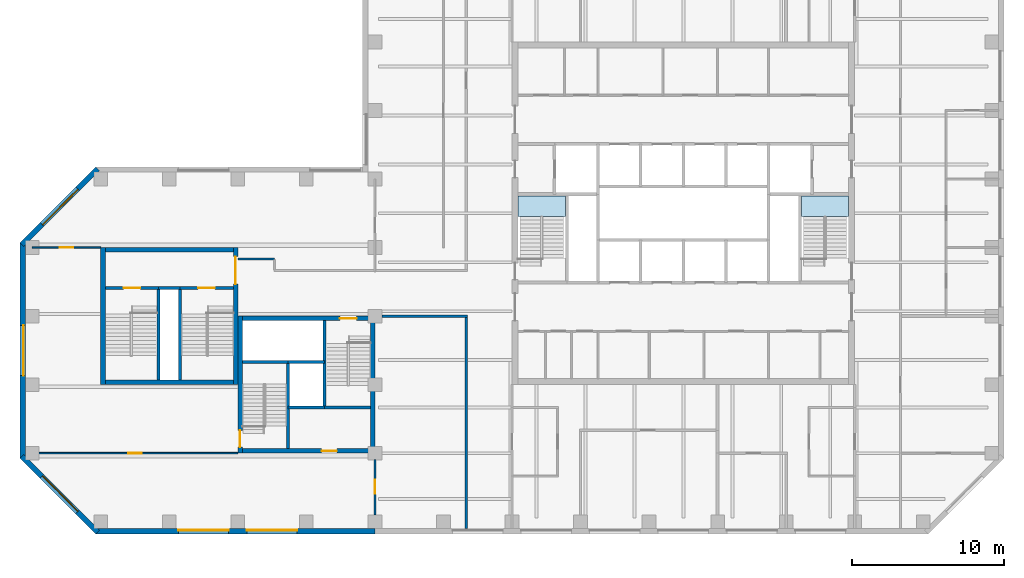
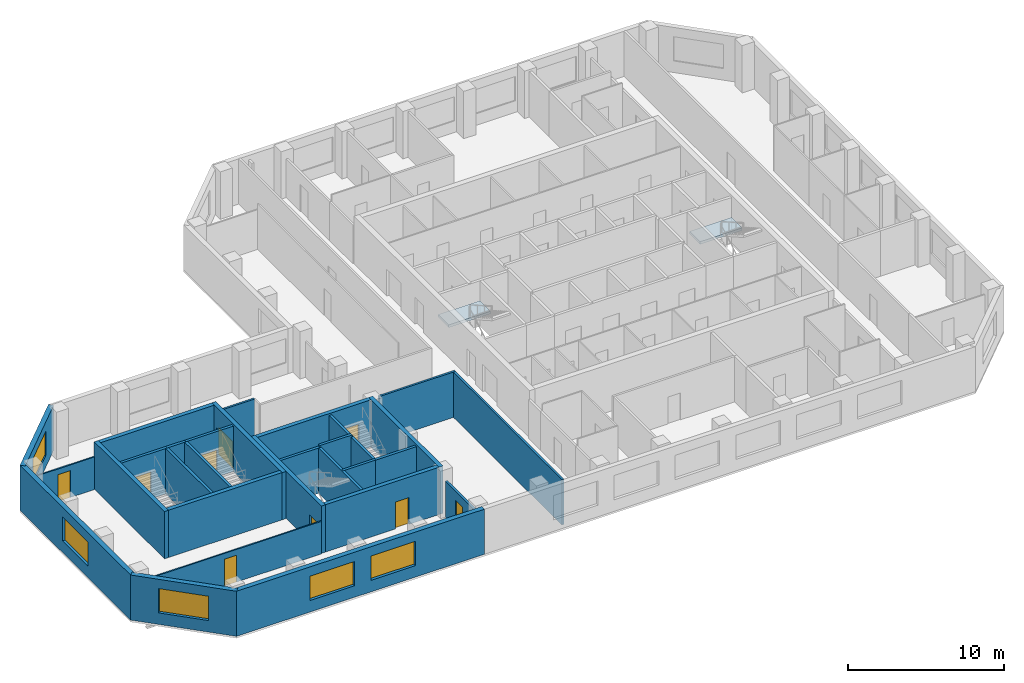
# One storey, part 2 of 8: 29 walls, 9 doors, 5 windows, 2 slabs, 14 openings, 2 elements without a shape of their own.
"""IFC4 building model written with IfcOpenShell, lengths in metres."""

from ifc_helpers import new_model, si_unit, direction, frame, frame_2d, origin, place, context, subcontext, project, spatial, polyline, rectangle, outline, extrude, material, layer, layer_set, constituent, constituent_set, type_object, element, fill, aggregate, save


model = new_model("IFC4")

# Units and contexts
model_context = context("Model", 3, precision=1e-05, world=origin(), true_north=direction((0.0, 1.0)))
body_context = subcontext(model_context, "Body", "Model", "MODEL_VIEW")
ifc_project = project(units=[si_unit("LENGTHUNIT", "METRE"), si_unit("AREAUNIT", "SQUARE_METRE"), si_unit("VOLUMEUNIT", "CUBIC_METRE"), si_unit("PLANEANGLEUNIT", "RADIAN"), si_unit("MASSUNIT", "GRAM", prefix="KILO")], contexts=[model_context])

# Site, building, storey
site_placement = place(None, origin())
site = spatial("IfcSite", under=ifc_project, at=site_placement, CompositionType="ELEMENT")
building_placement = place(site_placement, origin())
building = spatial("IfcBuilding", under=site, at=building_placement, Name="Quoin Convention Tower", CompositionType="ELEMENT")
storey_placement = place(building_placement, frame((0.0, 0.0, 211.89990234375)))
storey = spatial("IfcBuildingStorey", under=building, at=storey_placement, Name="L55", CompositionType="ELEMENT", Elevation=211.89990234375)

# Stair, slab
ifc_material_1 = material(Name="Concrete C40", Category="concrete")
stair_type = type_object("IfcStairType", Name="Exit stair two-flight 1350", PredefinedType="HALF_TURN_STAIR", material=ifc_material_1)
stair_1_placement = place(storey_placement, origin())
stair_1 = element("IfcStair", 1, at=stair_1_placement, inside=storey, type_object=stair_type, Name="SD1 L55", PredefinedType="HALF_TURN_STAIR")
ifc_layer_1 = layer(ifc_material_1, 0.199951171875)
ifc_layer_set_1 = layer_set([ifc_layer_1], Name="Concrete C40")
slab_type = type_object("IfcSlabType", Name="Stair landing 200", PredefinedType="LANDING", material=ifc_layer_set_1)
slab_1_placement = place(storey_placement, frame((0.0, 0.0, 1.79248046875)))
slab_1 = element("IfcSlab", 2, at=slab_1_placement, type_object=slab_type, Name="ST1 landing 1", PredefinedType="LANDING", context=body_context, shape_type="SweptSolid", body=[
    extrude(outline(polyline([(45.39990234375, 60.550048828125), (48.5, 60.550048828125), (48.5, 61.89990234375), (45.39990234375, 61.89990234375), (45.39990234375, 60.550048828125)])), origin(), (0.0, 0.0, 1.0), 0.199951171875),
])
aggregate(stair_1, [slab_1])

stair_2_placement = place(storey_placement, origin())
stair_2 = element("IfcStair", 3, at=stair_2_placement, inside=storey, type_object=stair_type, Name="SD2 L55", PredefinedType="HALF_TURN_STAIR")
slab_2_placement = place(storey_placement, frame((0.0, 0.0, 1.79248046875)))
slab_2 = element("IfcSlab", 4, at=slab_2_placement, type_object=slab_type, Name="ST2 landing 1", PredefinedType="LANDING", context=body_context, shape_type="SweptSolid", body=[
    extrude(outline(polyline([(64.0, 60.550048828125), (67.10009765625, 60.550048828125), (67.10009765625, 61.89990234375), (64.0, 61.89990234375), (64.0, 60.550048828125)])), origin(), (0.0, 0.0, 1.0), 0.199951171875),
])
aggregate(stair_2, [slab_2])

# Wall, opening, window
ifc_material_2 = material(Name="Brick masonry", Category="masonry")
ifc_layer_2 = layer(ifc_material_2, 0.35009765625)
ifc_layer_set_2 = layer_set([ifc_layer_2], Name="Brick masonry")
wall_type_1 = type_object("IfcWallType", Name="Brick facade wall", PredefinedType="STANDARD", material=ifc_layer_set_2)
wall_1_placement = place(storey_placement, frame((17.79248046875, 63.67626953125, 0.0), z_axis=(0.0, 0.0, 1.0), x_axis=(-0.707106781187, -0.707106781187, 0.0)))
wall_1 = element("IfcWall", 5, at=wall_1_placement, inside=storey, type_object=wall_type_1, Name="fw-L55-18000_63000", PredefinedType="STANDARD", context=body_context, shape_type="SweptSolid", body=[
    extrude(rectangle(XDim=7.02685546875, YDim=0.35009765625, at=frame_2d((3.513427734375, 0.0))), origin(), (0.0, 0.0, 1.0), 3.525146484375),
])
opening_1_placement = place(wall_1_placement, frame((1.86328125, 0.0, 0.89990234375)))
opening_1 = element("IfcOpeningElement", 6, at=opening_1_placement, cuts=wall_1, Name="Opening W-02", PredefinedType="OPENING", context=body_context, shape_type="SweptSolid", body=[
    extrude(rectangle(XDim=3.300048828125, YDim=1.89990234375, at=frame_2d((1.64990234375, 0.949951171875))), frame((0.0, 0.18505859375, 0.0), z_axis=(0.0, -1.0, 0.0), x_axis=(1.0, 0.0, 0.0)), (0.0, 0.0, 1.0), 0.3701171875),
])
ifc_material_3 = material(Name="Aluminium", Category="aluminium")
ifc_constituent_1 = constituent(ifc_material_3, Name="Frame")
ifc_material_4 = material(Name="Insulated glass", Category="glass")
ifc_constituent_2 = constituent(ifc_material_4, Name="Glazing")
ifc_constituent_set = constituent_set(constituents=[ifc_constituent_1, ifc_constituent_2], Name="Aluminium")
window_type = type_object("IfcWindowType", Name="Office window", PartitioningType="DOUBLE_PANEL_VERTICAL", PredefinedType="WINDOW", material=ifc_constituent_set)
window_1_placement = place(opening_1_placement, origin())
window_1 = element("IfcWindow", 7, at=window_1_placement, inside=storey, type_object=window_type, Name="win-L55-15308_61192", OverallHeight=1.89990234375, OverallWidth=3.300048828125, PartitioningType="SINGLE_PANEL", PredefinedType="WINDOW", context=body_context, shape_type="SweptSolid", body=[
    extrude(rectangle(XDim=3.300048828125, YDim=1.89990234375, at=frame_2d((1.64990234375, 0.949951171875))), frame((0.0, 0.0849609375, 0.0), z_axis=(0.0, -1.0, 0.0), x_axis=(1.0, 0.0, 0.0)), (0.0, 0.0, 1.0), 0.06005859375),
])
fill(opening_1, window_1)

wall_2_placement = place(storey_placement, frame((12.875, 58.831298828125, 0.0), z_axis=(0.0, 0.0, 1.0), x_axis=(0.0, -1.0, 0.0)))
wall_2 = element("IfcWall", 8, at=wall_2_placement, inside=storey, type_object=wall_type_1, Name="fw-L55-13500_58500", PredefinedType="STANDARD", context=body_context, shape_type="SweptSolid", body=[
    extrude(rectangle(XDim=14.16259765625, YDim=0.35009765625, at=frame_2d((7.081298828125, 0.0))), origin(), (0.0, 0.0, 1.0), 3.525146484375),
])
opening_2_placement = place(wall_2_placement, frame((5.431396484375, 0.0, 0.89990234375)))
opening_2 = element("IfcOpeningElement", 9, at=opening_2_placement, cuts=wall_2, Name="Opening W-02", PredefinedType="OPENING", context=body_context, shape_type="SweptSolid", body=[
    extrude(rectangle(XDim=3.300048828125, YDim=1.89990234375, at=frame_2d((1.64990234375, 0.949951171875))), frame((0.0, 0.18505859375, 0.0), z_axis=(0.0, -1.0, 0.0), x_axis=(1.0, 0.0, 0.0)), (0.0, 0.0, 1.0), 0.3701171875),
])
window_2_placement = place(opening_2_placement, origin())
window_2 = element("IfcWindow", 10, at=window_2_placement, inside=storey, type_object=window_type, Name="win-L55-12875_51750", OverallHeight=1.89990234375, OverallWidth=3.300048828125, PartitioningType="SINGLE_PANEL", PredefinedType="WINDOW", context=body_context, shape_type="SweptSolid", body=[
    extrude(rectangle(XDim=3.300048828125, YDim=1.89990234375, at=frame_2d((1.64990234375, 0.949951171875))), frame((0.0, 0.0849609375, 0.0), z_axis=(0.0, -1.0, 0.0), x_axis=(1.0, 0.0, 0.0)), (0.0, 0.0, 1.0), 0.06005859375),
])
fill(opening_2, window_2)

wall_3_placement = place(storey_placement, frame((12.82373046875, 44.79248046875, 0.0), z_axis=(0.0, 0.0, 1.0), x_axis=(0.707106781187, -0.707106781187, 0.0)))
wall_3 = element("IfcWall", 11, at=wall_3_placement, inside=storey, type_object=wall_type_1, Name="fw-L55-13500_45000", PredefinedType="STANDARD", context=body_context, shape_type="SweptSolid", body=[
    extrude(rectangle(XDim=7.02685546875, YDim=0.35009765625, at=frame_2d((3.513427734375, 0.0))), origin(), (0.0, 0.0, 1.0), 3.525146484375),
])
opening_3_placement = place(wall_3_placement, frame((1.86328125, 0.0, 0.89990234375)))
opening_3 = element("IfcOpeningElement", 12, at=opening_3_placement, cuts=wall_3, Name="Opening W-02", PredefinedType="OPENING", context=body_context, shape_type="SweptSolid", body=[
    extrude(rectangle(XDim=3.300048828125, YDim=1.89990234375, at=frame_2d((1.64990234375, 0.949951171875))), frame((0.0, 0.18505859375, 0.0), z_axis=(0.0, -1.0, 0.0), x_axis=(1.0, 0.0, 0.0)), (0.0, 0.0, 1.0), 0.3701171875),
])
window_3_placement = place(opening_3_placement, origin())
window_3 = element("IfcWindow", 13, at=window_3_placement, inside=storey, type_object=window_type, Name="win-L55-15308_42308", OverallHeight=1.89990234375, OverallWidth=3.300048828125, PartitioningType="SINGLE_PANEL", PredefinedType="WINDOW", context=body_context, shape_type="SweptSolid", body=[
    extrude(rectangle(XDim=3.300048828125, YDim=1.89990234375, at=frame_2d((1.64990234375, 0.949951171875))), frame((0.0, 0.0849609375, 0.0), z_axis=(0.0, -1.0, 0.0), x_axis=(1.0, 0.0, 0.0)), (0.0, 0.0, 1.0), 0.06005859375),
])
fill(opening_3, window_3)

# Wall, openings, windows
wall_4_placement = place(storey_placement, frame((17.668701171875, 39.875, 0.0), z_axis=(0.0, 0.0, 1.0), x_axis=(1.0, 0.0, 0.0)))
wall_4 = element("IfcWall", 14, at=wall_4_placement, inside=storey, type_object=wall_type_1, Name="fw-L55-18000_40500", PredefinedType="STANDARD", context=body_context, shape_type="SweptSolid", body=[
    extrude(rectangle(XDim=18.331298828125, YDim=0.35009765625, at=frame_2d((9.16552734375, 0.0))), origin(), (0.0, 0.0, 1.0), 3.525146484375),
])
opening_4_placement = place(wall_4_placement, frame((5.431396484375, 0.0, 0.89990234375)))
opening_4 = element("IfcOpeningElement", 15, at=opening_4_placement, cuts=wall_4, Name="Opening W-02", PredefinedType="OPENING", context=body_context, shape_type="SweptSolid", body=[
    extrude(rectangle(XDim=3.300048828125, YDim=1.89990234375, at=frame_2d((1.64990234375, 0.949951171875))), frame((0.0, 0.18505859375, 0.0), z_axis=(0.0, -1.0, 0.0), x_axis=(1.0, 0.0, 0.0)), (0.0, 0.0, 1.0), 0.3701171875),
])
opening_5_placement = place(wall_4_placement, frame((9.931396484375, 0.0, 0.89990234375)))
opening_5 = element("IfcOpeningElement", 16, at=opening_5_placement, cuts=wall_4, Name="Opening W-02", PredefinedType="OPENING", context=body_context, shape_type="SweptSolid", body=[
    extrude(rectangle(XDim=3.300048828125, YDim=1.89990234375, at=frame_2d((1.64990234375, 0.949951171875))), frame((0.0, 0.18505859375, 0.0), z_axis=(0.0, -1.0, 0.0), x_axis=(1.0, 0.0, 0.0)), (0.0, 0.0, 1.0), 0.3701171875),
])
window_4_placement = place(opening_4_placement, origin())
window_4 = element("IfcWindow", 17, at=window_4_placement, inside=storey, type_object=window_type, Name="win-L55-24750_39875", OverallHeight=1.89990234375, OverallWidth=3.300048828125, PartitioningType="SINGLE_PANEL", PredefinedType="WINDOW", context=body_context, shape_type="SweptSolid", body=[
    extrude(rectangle(XDim=3.300048828125, YDim=1.89990234375, at=frame_2d((1.64990234375, 0.949951171875))), frame((0.0, 0.0849609375, 0.0), z_axis=(0.0, -1.0, 0.0), x_axis=(1.0, 0.0, 0.0)), (0.0, 0.0, 1.0), 0.06005859375),
])
fill(opening_4, window_4)
window_5_placement = place(opening_5_placement, origin())
window_5 = element("IfcWindow", 18, at=window_5_placement, inside=storey, type_object=window_type, Name="win-L55-29250_39875", OverallHeight=1.89990234375, OverallWidth=3.300048828125, PartitioningType="SINGLE_PANEL", PredefinedType="WINDOW", context=body_context, shape_type="SweptSolid", body=[
    extrude(rectangle(XDim=3.300048828125, YDim=1.89990234375, at=frame_2d((1.64990234375, 0.949951171875))), frame((0.0, 0.0849609375, 0.0), z_axis=(0.0, -1.0, 0.0), x_axis=(1.0, 0.0, 0.0)), (0.0, 0.0, 1.0), 0.06005859375),
])
fill(opening_5, window_5)

# Walls
ifc_material_5 = material(Name="Concrete C50", Category="concrete")
ifc_layer_3 = layer(ifc_material_5, 0.199951171875)
ifc_layer_set_3 = layer_set([ifc_layer_3], Name="Concrete C50")
wall_type_2 = type_object("IfcWallType", Name="Core shaft wall", PredefinedType="SOLIDWALL", material=ifc_layer_set_3)
wall_5_placement = place(storey_placement, frame((30.300048828125, 48.0, 0.0), z_axis=(0.0, 0.0, 1.0), x_axis=(1.0, 0.0, 0.0)))
element("IfcWall", 19, at=wall_5_placement, inside=storey, type_object=wall_type_2, Name="cr-P2-L55-h3000_3300", PredefinedType="SOLIDWALL", context=body_context, shape_type="SweptSolid", body=[
    extrude(rectangle(XDim=2.39990234375, YDim=0.199951171875, at=frame_2d((1.199951171875, 0.0))), origin(), (0.0, 0.0, 1.0), 3.550048828125),
])
for number, where, z_axis, x_axis, name in (
    (20, (32.699951171875, 48.0, 0.0), (0.0, 0.0, 1.0), (1.0, 0.0, 0.0), "cr-P2-L55-h3000_5700"),
    (21, (27.300048828125, 51.0, 0.0), (0.0, 0.0, 1.0), (1.0, 0.0, 0.0), "cr-P2-L55-h6000_300"),
):
    element("IfcWall", number, at=place(storey_placement, frame(where, z_axis=z_axis, x_axis=x_axis)), inside=storey, type_object=wall_type_2, Name=name, PredefinedType="SOLIDWALL", context=body_context, shape_type="SweptSolid", body=[
        extrude(rectangle(XDim=3.0, YDim=0.199951171875, at=frame_2d((1.5, 0.0))), origin(), (0.0, 0.0, 1.0), 3.550048828125),
    ])
for number, where, z_axis, x_axis, name in (
    (22, (30.300048828125, 45.300048828125, 0.0), (0.0, 0.0, 1.0), (0.0, 1.0, 0.0), "cr-P2-L55-v3300_300"),
    (23, (32.699951171875, 48.0, 0.0), (0.0, 0.0, 1.0), (0.0, 1.0, 0.0), "cr-P2-L55-v5700_3000"),
):
    element("IfcWall", number, at=place(storey_placement, frame(where, z_axis=z_axis, x_axis=x_axis)), inside=storey, type_object=wall_type_2, Name=name, PredefinedType="SOLIDWALL", context=body_context, shape_type="SweptSolid", body=[
        extrude(rectangle(XDim=5.699951171875, YDim=0.199951171875, at=frame_2d((2.85009765625, 0.0))), origin(), (0.0, 0.0, 1.0), 3.550048828125),
    ])
wall_6_placement = place(storey_placement, frame((21.800048828125, 55.85009765625, 0.0), z_axis=(0.0, 0.0, 1.0), x_axis=(1.0, 0.0, 0.0)))
element("IfcWall", 24, at=wall_6_placement, inside=storey, type_object=wall_type_2, Name="cr-P6-L55-h6350_3800", PredefinedType="SOLIDWALL", context=body_context, shape_type="SweptSolid", body=[
    extrude(rectangle(XDim=1.39990234375, YDim=0.199951171875, at=frame_2d((0.699951171875, 0.0))), origin(), (0.0, 0.0, 1.0), 3.550048828125),
])

# Wall, opening, door
wall_7_placement = place(storey_placement, frame((18.300048828125, 55.85009765625, 0.0), z_axis=(0.0, 0.0, 1.0), x_axis=(1.0, 0.0, 0.0)))
wall_7 = element("IfcWall", 25, at=wall_7_placement, inside=storey, type_object=wall_type_2, Name="cr-P6-L55-h6350_300", PredefinedType="SOLIDWALL", context=body_context, shape_type="SweptSolid", body=[
    extrude(rectangle(XDim=3.5, YDim=0.199951171875, at=frame_2d((1.75, 0.0))), origin(), (0.0, 0.0, 1.0), 3.550048828125),
])
opening_6_placement = place(wall_7_placement, frame((1.199951171875, 0.0, 0.0)))
opening_6 = element("IfcOpeningElement", 26, at=opening_6_placement, cuts=wall_7, Name="Opening SD11", PredefinedType="OPENING", context=body_context, shape_type="SweptSolid", body=[
    extrude(rectangle(XDim=1.10009765625, YDim=2.10009765625, at=frame_2d((0.550048828125, 1.050048828125))), frame((0.0, 0.10986328125, 0.0), z_axis=(0.0, -1.0, 0.0), x_axis=(1.0, 0.0, 0.0)), (0.0, 0.0, 1.0), 0.219970703125),
])
ifc_material_6 = material(Name="Steel door leaf", Category="steel")
door_type_1 = type_object("IfcDoorType", Name="Stair door 1100 x 2100", OperationType="SINGLE_SWING_RIGHT", PredefinedType="DOOR", material=ifc_material_6)
door_1_placement = place(opening_6_placement, origin())
door_1 = element("IfcDoor", 27, at=door_1_placement, inside=storey, type_object=door_type_1, Name="cd-P6-L55-SA-R2-SD11", OperationType="SINGLE_SWING_RIGHT", OverallHeight=2.10009765625, OverallWidth=1.10009765625, PredefinedType="DOOR", context=body_context, shape_type="SweptSolid", body=[
    extrude(rectangle(XDim=1.10009765625, YDim=2.10009765625, at=frame_2d((0.550048828125, 1.050048828125))), frame((0.0, 0.02490234375, 0.0), z_axis=(0.0, -1.0, 0.0), x_axis=(1.0, 0.0, 0.0)), (0.0, 0.0, 1.0), 0.050048828125),
])
fill(opening_6, door_1)

wall_8_placement = place(storey_placement, frame((23.199951171875, 55.85009765625, 0.0), z_axis=(0.0, 0.0, 1.0), x_axis=(1.0, 0.0, 0.0)))
wall_8 = element("IfcWall", 28, at=wall_8_placement, inside=storey, type_object=wall_type_2, Name="cr-P6-L55-h6350_5200", PredefinedType="SOLIDWALL", context=body_context, shape_type="SweptSolid", body=[
    extrude(rectangle(XDim=3.5, YDim=0.199951171875, at=frame_2d((1.75, 0.0))), origin(), (0.0, 0.0, 1.0), 3.550048828125),
])
opening_7_placement = place(wall_8_placement, frame((1.199951171875, 0.0, 0.0)))
opening_7 = element("IfcOpeningElement", 29, at=opening_7_placement, cuts=wall_8, Name="Opening SD12", PredefinedType="OPENING", context=body_context, shape_type="SweptSolid", body=[
    extrude(rectangle(XDim=1.10009765625, YDim=2.10009765625, at=frame_2d((0.550048828125, 1.050048828125))), frame((0.0, 0.10986328125, 0.0), z_axis=(0.0, -1.0, 0.0), x_axis=(1.0, 0.0, 0.0)), (0.0, 0.0, 1.0), 0.219970703125),
])
door_2_placement = place(opening_7_placement, origin())
door_2 = element("IfcDoor", 30, at=door_2_placement, inside=storey, type_object=door_type_1, Name="cd-P6-L55-SB-R2-SD12", OperationType="SINGLE_SWING_RIGHT", OverallHeight=2.10009765625, OverallWidth=1.10009765625, PredefinedType="DOOR", context=body_context, shape_type="SweptSolid", body=[
    extrude(rectangle(XDim=1.10009765625, YDim=2.10009765625, at=frame_2d((0.550048828125, 1.050048828125))), frame((0.0, 0.02490234375, 0.0), z_axis=(0.0, -1.0, 0.0), x_axis=(1.0, 0.0, 0.0)), (0.0, 0.0, 1.0), 0.050048828125),
])
fill(opening_7, door_2)

# Walls
for number, where, z_axis, x_axis, name in (
    (31, (21.800048828125, 49.800048828125, 0.0), (0.0, 0.0, 1.0), (0.0, 1.0, 0.0), "cr-P6-L55-v3800_300"),
    (32, (23.199951171875, 49.800048828125, 0.0), (0.0, 0.0, 1.0), (0.0, 1.0, 0.0), "cr-P6-L55-v5200_300"),
):
    element("IfcWall", number, at=place(storey_placement, frame(where, z_axis=z_axis, x_axis=x_axis)), inside=storey, type_object=wall_type_2, Name=name, PredefinedType="SOLIDWALL", context=body_context, shape_type="SweptSolid", body=[
        extrude(rectangle(XDim=6.050048828125, YDim=0.199951171875, at=frame_2d((3.02490234375, 0.0))), origin(), (0.0, 0.0, 1.0), 3.550048828125),
    ])
ifc_layer_4 = layer(ifc_material_5, 0.199951171875)
ifc_layer_set_4 = layer_set([ifc_layer_4], Name="Concrete C50")
wall_type_3 = type_object("IfcWallType", Name="Core shaft wall to the floor level over", PredefinedType="SOLIDWALL", material=ifc_layer_set_4)
wall_9_placement = place(storey_placement, frame((30.300048828125, 51.0, 0.0), z_axis=(0.0, 0.0, 1.0), x_axis=(1.0, 0.0, 0.0)))
element("IfcWall", 33, at=wall_9_placement, inside=storey, type_object=wall_type_3, Name="cr-P2-L55-h6000_3300", PredefinedType="SOLIDWALL", context=body_context, shape_type="SweptSolid", body=[
    extrude(rectangle(XDim=2.39990234375, YDim=0.199951171875, at=frame_2d((1.199951171875, 0.0))), origin(), (0.0, 0.0, 1.0), 3.7001953125),
])
ifc_material_7 = material(Name="Plasterboard")
ifc_layer_5 = layer(ifc_material_7, 0.012451171875, Name="Finish")
ifc_material_8 = material(Name="Steel stud framing", Category="steel")
ifc_layer_6 = layer(ifc_material_8, 0.125, Name="Structure")
ifc_layer_7 = layer(ifc_material_7, 0.012451171875, Name="Finish")
ifc_layer_set_5 = layer_set([ifc_layer_5, ifc_layer_6, ifc_layer_7], Name="Steel stud framing")
wall_type_4 = type_object("IfcWallType", Name="Corridor wall 150", PredefinedType="PARTITIONING", material=ifc_layer_set_5)
wall_10_placement = place(storey_placement, frame((36.449951171875, 54.0, 0.0), z_axis=(0.0, 0.0, 1.0), x_axis=(1.0, 0.0, 0.0)))
element("IfcWall", 34, at=wall_10_placement, inside=storey, type_object=wall_type_4, Name="pw-L55-013", PredefinedType="PARTITIONING", context=body_context, shape_type="SweptSolid", body=[
    extrude(rectangle(XDim=5.625, YDim=0.14990234375, at=frame_2d((2.8125, 0.0))), origin(), (0.0, 0.0, 1.0), 3.550048828125),
])
wall_11_placement = place(storey_placement, frame((42.0, 40.050048828125, 0.0), z_axis=(0.0, 0.0, 1.0), x_axis=(0.0, 1.0, 0.0)))
element("IfcWall", 35, at=wall_11_placement, inside=storey, type_object=wall_type_4, Name="pw-L55-026", PredefinedType="PARTITIONING", context=body_context, shape_type="SweptSolid", body=[
    extrude(rectangle(XDim=13.875, YDim=0.14990234375, at=frame_2d((6.9375, 0.0))), origin(), (0.0, 0.0, 1.0), 3.550048828125),
])
wall_12_placement = place(storey_placement, frame((27.0, 57.75, 0.0), z_axis=(0.0, 0.0, 1.0), x_axis=(1.0, 0.0, 0.0)))
element("IfcWall", 36, at=wall_12_placement, inside=storey, type_object=wall_type_4, Name="pw-L55-w07", PredefinedType="PARTITIONING", context=body_context, shape_type="SweptSolid", body=[
    extrude(rectangle(XDim=2.39990234375, YDim=0.14990234375, at=frame_2d((1.199951171875, 0.0))), origin(), (0.0, 0.0, 1.0), 3.550048828125),
])

# Wall, opening, door
ifc_layer_8 = layer(ifc_material_7, 0.012451171875, Name="Finish")
ifc_layer_9 = layer(ifc_material_8, 0.125, Name="Structure")
ifc_layer_10 = layer(ifc_material_7, 0.012451171875, Name="Finish")
ifc_layer_set_6 = layer_set([ifc_layer_8, ifc_layer_9, ifc_layer_10], Name="Steel stud framing")
wall_type_5 = type_object("IfcWallType", Name="Corridor wall 150 under beam 750", PredefinedType="PARTITIONING", material=ifc_layer_set_6)
wall_13_placement = place(storey_placement, frame((36.0, 40.949951171875, 0.0), z_axis=(0.0, 0.0, 1.0), x_axis=(0.0, 1.0, 0.0)))
wall_13 = element("IfcWall", 37, at=wall_13_placement, inside=storey, type_object=wall_type_5, Name="pw-L55-033", PredefinedType="PARTITIONING", context=body_context, shape_type="SweptSolid", body=[
    extrude(rectangle(XDim=3.630126953125, YDim=0.14990234375, at=frame_2d((1.81494140625, 0.0))), origin(), (0.0, 0.0, 1.0), 2.800048828125),
])
opening_8_placement = place(wall_13_placement, frame((1.39990234375, 0.0, 0.0)))
opening_8 = element("IfcOpeningElement", 38, at=opening_8_placement, cuts=wall_13, Name="Opening DOH9-09", PredefinedType="OPENING", context=body_context, shape_type="SweptSolid", body=[
    extrude(rectangle(XDim=0.89990234375, YDim=2.10009765625, at=frame_2d((0.449951171875, 1.050048828125))), frame((0.0, 0.0849609375, 0.0), z_axis=(0.0, -1.0, 0.0), x_axis=(1.0, 0.0, 0.0)), (0.0, 0.0, 1.0), 0.169921875),
])
door_type_2 = type_object("IfcDoorType", Name="Office door 900 x 2100", OperationType="SINGLE_SWING_RIGHT", PredefinedType="DOOR", material=ifc_material_6)
door_3_placement = place(opening_8_placement, origin())
door_3 = element("IfcDoor", 39, at=door_3_placement, inside=storey, type_object=door_type_2, Name="dr-L55-01", OperationType="SINGLE_SWING_RIGHT", OverallHeight=2.10009765625, OverallWidth=0.89990234375, PredefinedType="DOOR", context=body_context, shape_type="SweptSolid", body=[
    extrude(rectangle(XDim=0.89990234375, YDim=2.10009765625, at=frame_2d((0.449951171875, 1.050048828125))), frame((0.0, 0.02490234375, 0.0), z_axis=(0.0, -1.0, 0.0), x_axis=(1.0, 0.0, 0.0)), (0.0, 0.0, 1.0), 0.050048828125),
])
fill(opening_8, door_3)

ifc_layer_11 = layer(ifc_material_5, 0.300048828125)
ifc_layer_set_7 = layer_set([ifc_layer_11], Name="Concrete C50")
wall_type_6 = type_object("IfcWallType", Name="RC CORE WALL 300 C50", PredefinedType="SHEAR", material=ifc_layer_set_7)
wall_14_placement = place(storey_placement, frame((27.300048828125, 45.14990234375, 0.0), z_axis=(0.0, 0.0, 1.0), x_axis=(1.0, 0.0, 0.0)))
wall_14 = element("IfcWall", 40, at=wall_14_placement, inside=storey, type_object=wall_type_6, Name="cwl-P2-L55-S", PredefinedType="SHEAR", context=body_context, shape_type="SweptSolid", body=[
    extrude(rectangle(XDim=8.39990234375, YDim=0.300048828125, at=frame_2d((4.199951171875, 0.0))), origin(), (0.0, 0.0, 1.0), 3.7001953125),
])
opening_9_placement = place(wall_14_placement, frame((5.199951171875, 0.0, 0.0)))
opening_9 = element("IfcOpeningElement", 41, at=opening_9_placement, cuts=wall_14, Name="Opening DCV1-50", PredefinedType="OPENING", context=body_context, shape_type="SweptSolid", body=[
    extrude(rectangle(XDim=1.0, YDim=2.10009765625, at=frame_2d((0.5, 1.050048828125))), frame((0.0, 0.159912109375, 0.0), z_axis=(0.0, -1.0, 0.0), x_axis=(1.0, 0.0, 0.0)), (0.0, 0.0, 1.0), 0.320068359375),
])
door_type_3 = type_object("IfcDoorType", Name="Service door 1000 x 2100", OperationType="SINGLE_SWING_LEFT", PredefinedType="DOOR", material=ifc_material_6)
door_4_placement = place(opening_9_placement, frame((1.0, 0.0, 0.0), z_axis=(0.0, 0.0, 1.0), x_axis=(-1.0, 0.0, 0.0)))
door_4 = element("IfcDoor", 42, at=door_4_placement, inside=storey, type_object=door_type_3, Name="cd-P2-L55-R2-S", OperationType="SINGLE_SWING_LEFT", OverallHeight=2.10009765625, OverallWidth=1.0, PredefinedType="DOOR", context=body_context, shape_type="SweptSolid", body=[
    extrude(rectangle(XDim=1.0, YDim=2.10009765625, at=frame_2d((0.5, 1.050048828125))), frame((0.0, 0.02490234375, 0.0), z_axis=(0.0, -1.0, 0.0), x_axis=(1.0, 0.0, 0.0)), (0.0, 0.0, 1.0), 0.050048828125),
])
fill(opening_9, door_4)

wall_15_placement = place(storey_placement, frame((27.300048828125, 53.85009765625, 0.0), z_axis=(0.0, 0.0, 1.0), x_axis=(1.0, 0.0, 0.0)))
wall_15 = element("IfcWall", 43, at=wall_15_placement, inside=storey, type_object=wall_type_6, Name="cwl-P2-L55-N", PredefinedType="SHEAR", context=body_context, shape_type="SweptSolid", body=[
    extrude(rectangle(XDim=8.39990234375, YDim=0.300048828125, at=frame_2d((4.199951171875, 0.0))), origin(), (0.0, 0.0, 1.0), 3.7001953125),
])
opening_10_placement = place(wall_15_placement, frame((6.39990234375, 0.0, 0.0)))
opening_10 = element("IfcOpeningElement", 44, at=opening_10_placement, cuts=wall_15, Name="Opening SD4", PredefinedType="OPENING", context=body_context, shape_type="SweptSolid", body=[
    extrude(rectangle(XDim=1.10009765625, YDim=2.10009765625, at=frame_2d((0.550048828125, 1.050048828125))), frame((0.0, 0.159912109375, 0.0), z_axis=(0.0, -1.0, 0.0), x_axis=(1.0, 0.0, 0.0)), (0.0, 0.0, 1.0), 0.320068359375),
])
door_5_placement = place(opening_10_placement, frame((1.10009765625, 0.0, 0.0), z_axis=(0.0, 0.0, 1.0), x_axis=(-1.0, 0.0, 0.0)))
door_5 = element("IfcDoor", 45, at=door_5_placement, inside=storey, type_object=door_type_1, Name="cd-P2-L55-SB-N", OperationType="SINGLE_SWING_LEFT", OverallHeight=2.10009765625, OverallWidth=1.10009765625, PredefinedType="DOOR", context=body_context, shape_type="SweptSolid", body=[
    extrude(rectangle(XDim=1.10009765625, YDim=2.10009765625, at=frame_2d((0.550048828125, 1.050048828125))), frame((0.0, 0.02490234375, 0.0), z_axis=(0.0, -1.0, 0.0), x_axis=(1.0, 0.0, 0.0)), (0.0, 0.0, 1.0), 0.050048828125),
])
fill(opening_10, door_5)

wall_16_placement = place(storey_placement, frame((27.14990234375, 45.0, 0.0), z_axis=(0.0, 0.0, 1.0), x_axis=(0.0, 1.0, 0.0)))
wall_16 = element("IfcWall", 46, at=wall_16_placement, inside=storey, type_object=wall_type_6, Name="cwl-P2-L55-W", PredefinedType="SHEAR", context=body_context, shape_type="SweptSolid", body=[
    extrude(rectangle(XDim=9.0, YDim=0.300048828125, at=frame_2d((4.5, 0.0))), origin(), (0.0, 0.0, 1.0), 3.7001953125),
])
opening_11_placement = place(wall_16_placement, frame((0.39990234375, 0.0, 0.0)))
opening_11 = element("IfcOpeningElement", 47, at=opening_11_placement, cuts=wall_16, Name="Opening SD3", PredefinedType="OPENING", context=body_context, shape_type="SweptSolid", body=[
    extrude(rectangle(XDim=1.10009765625, YDim=2.10009765625, at=frame_2d((0.550048828125, 1.050048828125))), frame((0.0, 0.159912109375, 0.0), z_axis=(0.0, -1.0, 0.0), x_axis=(1.0, 0.0, 0.0)), (0.0, 0.0, 1.0), 0.320068359375),
])
door_6_placement = place(opening_11_placement, frame((1.10009765625, 0.0, 0.0), z_axis=(0.0, 0.0, 1.0), x_axis=(-1.0, 0.0, 0.0)))
door_6 = element("IfcDoor", 48, at=door_6_placement, inside=storey, type_object=door_type_1, Name="cd-P2-L55-SA-W", OperationType="SINGLE_SWING_RIGHT", OverallHeight=2.10009765625, OverallWidth=1.10009765625, PredefinedType="DOOR", context=body_context, shape_type="SweptSolid", body=[
    extrude(rectangle(XDim=1.10009765625, YDim=2.10009765625, at=frame_2d((0.550048828125, 1.050048828125))), frame((0.0, 0.02490234375, 0.0), z_axis=(0.0, -1.0, 0.0), x_axis=(1.0, 0.0, 0.0)), (0.0, 0.0, 1.0), 0.050048828125),
])
fill(opening_11, door_6)

# Walls
wall_17_placement = place(storey_placement, frame((35.85009765625, 45.0, 0.0), z_axis=(0.0, 0.0, 1.0), x_axis=(0.0, 1.0, 0.0)))
element("IfcWall", 49, at=wall_17_placement, inside=storey, type_object=wall_type_6, Name="cwl-P2-L55-E", PredefinedType="SHEAR", context=body_context, shape_type="SweptSolid", body=[
    extrude(rectangle(XDim=9.0, YDim=0.300048828125, at=frame_2d((4.5, 0.0))), origin(), (0.0, 0.0, 1.0), 3.7001953125),
])
for number, where, z_axis, x_axis, name in (
    (50, (18.300048828125, 49.64990234375, 0.0), (0.0, 0.0, 1.0), (1.0, 0.0, 0.0), "cwl-P6-L55-S"),
    (51, (18.300048828125, 58.35009765625, 0.0), (0.0, 0.0, 1.0), (1.0, 0.0, 0.0), "cwl-P6-L55-N"),
):
    element("IfcWall", number, at=place(storey_placement, frame(where, z_axis=z_axis, x_axis=x_axis)), inside=storey, type_object=wall_type_6, Name=name, PredefinedType="SHEAR", context=body_context, shape_type="SweptSolid", body=[
        extrude(rectangle(XDim=8.39990234375, YDim=0.300048828125, at=frame_2d((4.199951171875, 0.0))), origin(), (0.0, 0.0, 1.0), 3.7001953125),
    ])
wall_18_placement = place(storey_placement, frame((18.14990234375, 49.5, 0.0), z_axis=(0.0, 0.0, 1.0), x_axis=(0.0, 1.0, 0.0)))
element("IfcWall", 52, at=wall_18_placement, inside=storey, type_object=wall_type_6, Name="cwl-P6-L55-W", PredefinedType="SHEAR", context=body_context, shape_type="SweptSolid", body=[
    extrude(rectangle(XDim=9.0, YDim=0.300048828125, at=frame_2d((4.5, 0.0))), origin(), (0.0, 0.0, 1.0), 3.7001953125),
])

# Wall, opening, door
wall_19_placement = place(storey_placement, frame((26.85009765625, 49.5, 0.0), z_axis=(0.0, 0.0, 1.0), x_axis=(0.0, 1.0, 0.0)))
wall_19 = element("IfcWall", 53, at=wall_19_placement, inside=storey, type_object=wall_type_6, Name="cwl-P6-L55-E", PredefinedType="SHEAR", context=body_context, shape_type="SweptSolid", body=[
    extrude(rectangle(XDim=9.0, YDim=0.300048828125, at=frame_2d((4.5, 0.0))), origin(), (0.0, 0.0, 1.0), 3.7001953125),
])
opening_12_placement = place(wall_19_placement, frame((6.60009765625, 0.0, 0.0)))
opening_12 = element("IfcOpeningElement", 54, at=opening_12_placement, cuts=wall_19, Name="Opening DCV1-54", PredefinedType="OPENING", context=body_context, shape_type="SweptSolid", body=[
    extrude(rectangle(XDim=1.800048828125, YDim=2.10009765625, at=frame_2d((0.89990234375, 1.050048828125))), frame((0.0, 0.159912109375, 0.0), z_axis=(0.0, -1.0, 0.0), x_axis=(1.0, 0.0, 0.0)), (0.0, 0.0, 1.0), 0.320068359375),
])
door_type_4 = type_object("IfcDoorType", Name="Goods lobby door 1800 x 2100", OperationType="SINGLE_SWING_LEFT", PredefinedType="DOOR", material=ifc_material_6)
door_7_placement = place(opening_12_placement, origin())
door_7 = element("IfcDoor", 55, at=door_7_placement, inside=storey, type_object=door_type_4, Name="cd-P6-L55-R2-E", OperationType="SINGLE_SWING_LEFT", OverallHeight=2.10009765625, OverallWidth=1.800048828125, PredefinedType="DOOR", context=body_context, shape_type="SweptSolid", body=[
    extrude(rectangle(XDim=1.800048828125, YDim=2.10009765625, at=frame_2d((0.89990234375, 1.050048828125))), frame((0.0, 0.02490234375, 0.0), z_axis=(0.0, -1.0, 0.0), x_axis=(1.0, 0.0, 0.0)), (0.0, 0.0, 1.0), 0.050048828125),
])
fill(opening_12, door_7)

ifc_layer_12 = layer(ifc_material_7, 0.012451171875, Name="Finish")
ifc_layer_13 = layer(ifc_material_8, 0.074951171875, Name="Structure")
ifc_layer_14 = layer(ifc_material_7, 0.012451171875, Name="Finish")
ifc_layer_set_8 = layer_set([ifc_layer_12, ifc_layer_13, ifc_layer_14], Name="Steel stud framing")
wall_type_7 = type_object("IfcWallType", Name="Stud partition 100 under beam 1000", PredefinedType="PARTITIONING", material=ifc_layer_set_8)
wall_20_placement = place(storey_placement, frame((13.5, 58.5, 0.0), z_axis=(0.0, 0.0, 1.0), x_axis=(1.0, 0.0, 0.0)))
wall_20 = element("IfcWall", 56, at=wall_20_placement, inside=storey, type_object=wall_type_7, Name="pw-L55-w04", PredefinedType="PARTITIONING", context=body_context, shape_type="SweptSolid", body=[
    extrude(rectangle(XDim=4.5, YDim=0.10009765625, at=frame_2d((2.25, 0.0))), origin(), (0.0, 0.0, 1.0), 2.550048828125),
])
opening_13_placement = place(wall_20_placement, frame((1.800048828125, 0.0, 0.0)))
opening_13 = element("IfcOpeningElement", 57, at=opening_13_placement, cuts=wall_20, Name="Opening DOH9-24", PredefinedType="OPENING", context=body_context, shape_type="SweptSolid", body=[
    extrude(rectangle(XDim=0.89990234375, YDim=2.10009765625, at=frame_2d((0.449951171875, 1.050048828125))), frame((0.0, 0.06005859375, 0.0), z_axis=(0.0, -1.0, 0.0), x_axis=(1.0, 0.0, 0.0)), (0.0, 0.0, 1.0), 0.1201171875),
])
door_8_placement = place(opening_13_placement, origin())
door_8 = element("IfcDoor", 58, at=door_8_placement, inside=storey, type_object=door_type_2, Name="dr-L55-w04", OperationType="SINGLE_SWING_RIGHT", OverallHeight=2.10009765625, OverallWidth=0.89990234375, PredefinedType="DOOR", context=body_context, shape_type="SweptSolid", body=[
    extrude(rectangle(XDim=0.89990234375, YDim=2.10009765625, at=frame_2d((0.449951171875, 1.050048828125))), frame((0.0, 0.02490234375, 0.0), z_axis=(0.0, -1.0, 0.0), x_axis=(1.0, 0.0, 0.0)), (0.0, 0.0, 1.0), 0.050048828125),
])
fill(opening_13, door_8)

wall_21_placement = place(storey_placement, frame((13.5, 45.0, 0.0), z_axis=(0.0, 0.0, 1.0), x_axis=(1.0, 0.0, 0.0)))
wall_21 = element("IfcWall", 59, at=wall_21_placement, inside=storey, type_object=wall_type_7, Name="pw-L55-w05", PredefinedType="PARTITIONING", context=body_context, shape_type="SweptSolid", body=[
    extrude(rectangle(XDim=13.5, YDim=0.10009765625, at=frame_2d((6.75, 0.0))), origin(), (0.0, 0.0, 1.0), 2.550048828125),
])
opening_14_placement = place(wall_21_placement, frame((6.300048828125, 0.0, 0.0)))
opening_14 = element("IfcOpeningElement", 60, at=opening_14_placement, cuts=wall_21, Name="Opening DOH9-25", PredefinedType="OPENING", context=body_context, shape_type="SweptSolid", body=[
    extrude(rectangle(XDim=0.89990234375, YDim=2.10009765625, at=frame_2d((0.449951171875, 1.050048828125))), frame((0.0, 0.06005859375, 0.0), z_axis=(0.0, -1.0, 0.0), x_axis=(1.0, 0.0, 0.0)), (0.0, 0.0, 1.0), 0.1201171875),
])
door_9_placement = place(opening_14_placement, origin())
door_9 = element("IfcDoor", 61, at=door_9_placement, inside=storey, type_object=door_type_2, Name="dr-L55-w05", OperationType="SINGLE_SWING_RIGHT", OverallHeight=2.10009765625, OverallWidth=0.89990234375, PredefinedType="DOOR", context=body_context, shape_type="SweptSolid", body=[
    extrude(rectangle(XDim=0.89990234375, YDim=2.10009765625, at=frame_2d((0.449951171875, 1.050048828125))), frame((0.0, 0.02490234375, 0.0), z_axis=(0.0, -1.0, 0.0), x_axis=(1.0, 0.0, 0.0)), (0.0, 0.0, 1.0), 0.050048828125),
])
fill(opening_14, door_9)

save(model, "model.ifc")
